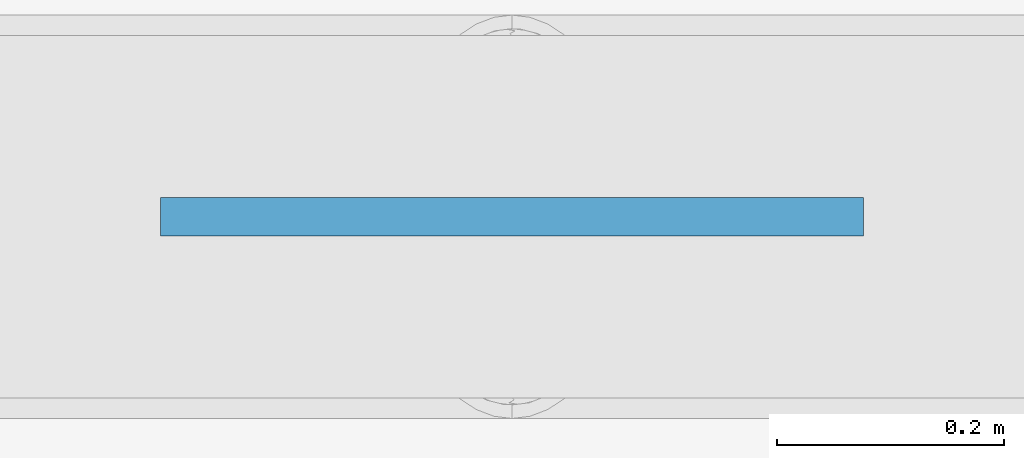
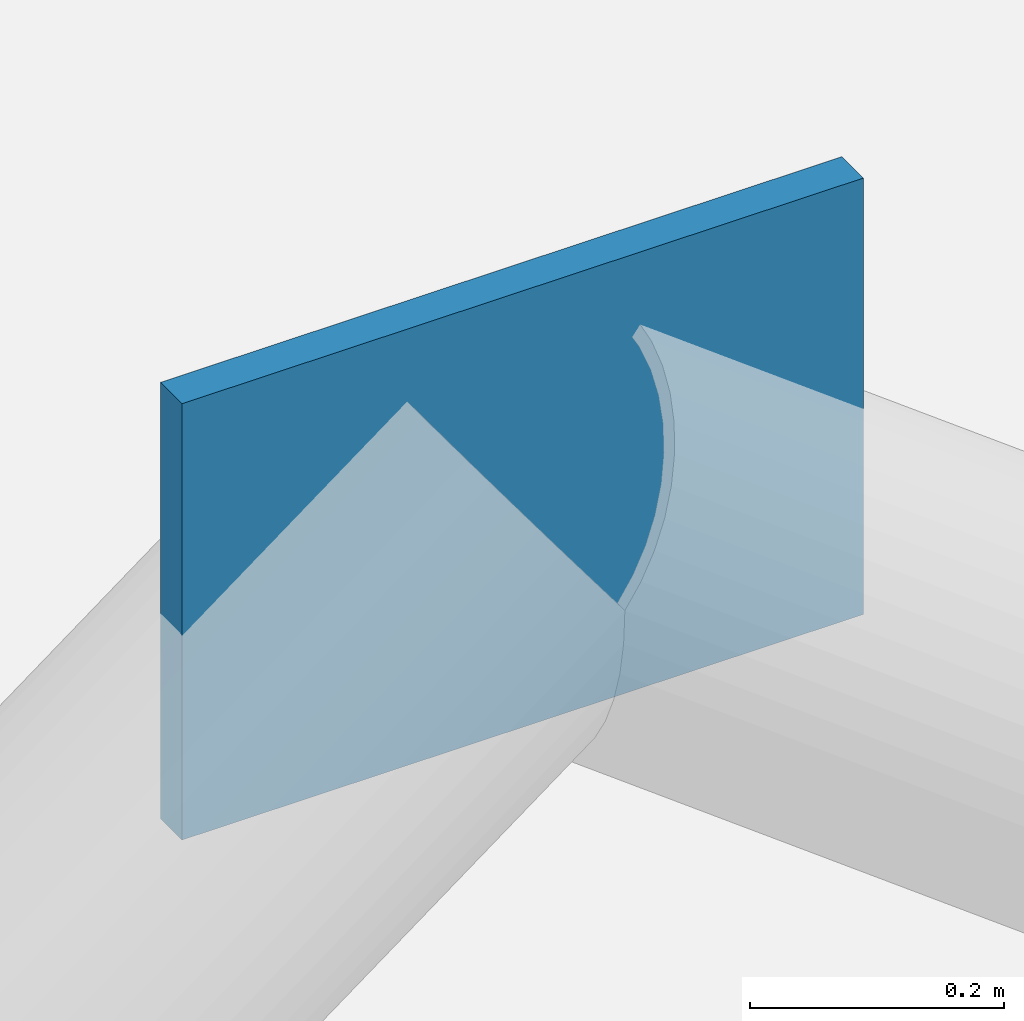
# One storey, part 34 of 83: 1 plate.
"""IFC4 building model written with IfcOpenShell, lengths in metres."""

import ifcopenshell
import ifcopenshell.guid

model = None  # the IFC model being written
_history = None  # IfcOwnerHistory: only IFC2X3 demands one
_inside = {}  # id of a spatial element -> (the spatial element, [elements in it])
_under = {}  # id of a project, library or spatial element -> (it, [spatial elements below it])
_declared = {}  # id of a project -> (the project, [libraries it declares])
_typed = {}  # id of a type object -> (the type object, [elements of that type])
_made_of = {}  # id of a material, layer set ... -> (it, [elements and type objects made of it])


def new_model(schema):
    """Start an empty IFC model of exactly this schema.

    Asked for "IFC4X3", IfcOpenShell would pick the latest addendum, in which some entities
    have other attributes; the version numbers below select the first issue.
    IFC2X3 requires an IfcOwnerHistory on every rooted entity: one is made here for all.
    """
    global model, _history
    if schema == "IFC4X3":
        model = ifcopenshell.file(schema_version=(4, 3, 0, 0))
    else:
        model = ifcopenshell.file(schema=schema)
    _inside.clear()
    _under.clear()
    _declared.clear()
    _typed.clear()
    _made_of.clear()
    _history = None
    if model.schema == "IFC2X3":
        org = make("IfcOrganization", Name="unknown")
        user = make(
            "IfcPersonAndOrganization",
            ThePerson=make("IfcPerson", FamilyName="unknown"),
            TheOrganization=org,
        )
        app = make(
            "IfcApplication",
            ApplicationDeveloper=org,
            Version="unknown",
            ApplicationFullName="unknown",
            ApplicationIdentifier="unknown",
        )
        _history = make(
            "IfcOwnerHistory",
            OwningUser=user,
            OwningApplication=app,
            ChangeAction="ADDED",
            CreationDate=0,
        )
    return model


def make(cls, **values):
    """One entity of the class cls with the attributes given. An attribute that is None is left unset."""
    return model.create_entity(
        cls, **{name: value for name, value in values.items() if value is not None}
    )


def rooted(cls, **values):
    """An entity with a GlobalId (a new one), such as an element, a storey or a relation."""
    return make(cls, GlobalId=ifcopenshell.guid.new(), OwnerHistory=_history, **values)


def si_unit(unit_type, name, prefix=None):
    """IfcSIUnit, for example si_unit("LENGTHUNIT", "METRE", prefix="MILLI")."""
    return make("IfcSIUnit", UnitType=unit_type, Prefix=prefix, Name=name)


def derived_unit(unit_type, elements):
    """IfcDerivedUnit: a product of units, each with its exponent."""
    return make(
        "IfcDerivedUnit",
        Elements=[
            make("IfcDerivedUnitElement", Unit=unit, Exponent=power)
            for unit, power in elements
        ],
        UnitType=unit_type,
    )


def assignment(units):
    """IfcUnitAssignment: the units of a project."""
    return None if units is None else make("IfcUnitAssignment", Units=units)


def point(xyz):
    """IfcCartesianPoint."""
    return None if xyz is None else make("IfcCartesianPoint", Coordinates=xyz)


def direction(xyz):
    """IfcDirection."""
    return None if xyz is None else make("IfcDirection", DirectionRatios=xyz)


def frame(location, z_axis=None, x_axis=None):
    """IfcAxis2Placement3D, a coordinate frame: its origin and axes. An axis left out is left unset."""
    return make(
        "IfcAxis2Placement3D",
        Location=point(location),
        Axis=direction(z_axis),
        RefDirection=direction(x_axis),
    )


def frame_2d(location, x_axis=None):
    """IfcAxis2Placement2D, a coordinate frame in the plane: its origin and x axis."""
    return make(
        "IfcAxis2Placement2D", Location=point(location), RefDirection=direction(x_axis)
    )


def origin():
    """The frame at (0, 0, 0) with its axes left unset."""
    return frame((0.0, 0.0, 0.0))


def origin_2d():
    """The frame at (0, 0) in the plane with its x axis left unset."""
    return frame_2d((0.0, 0.0))


def place(relative_to, where):
    """IfcLocalPlacement: puts the frame where relative to a parent placement (None: the world)."""
    return make(
        "IfcLocalPlacement", PlacementRelTo=relative_to, RelativePlacement=where
    )


def context(
    kind, dimensions, precision=None, world=None, true_north=None, identifier=None
):
    """IfcGeometricRepresentationContext, for example the 3D "Model" context."""
    return make(
        "IfcGeometricRepresentationContext",
        ContextIdentifier=identifier,
        ContextType=kind,
        CoordinateSpaceDimension=dimensions,
        Precision=precision,
        WorldCoordinateSystem=world,
        TrueNorth=true_north,
    )


def subcontext(parent, identifier, kind, view, scale=None):
    """IfcGeometricRepresentationSubContext, for example "Body" below "Model"."""
    return make(
        "IfcGeometricRepresentationSubContext",
        ContextIdentifier=identifier,
        ContextType=kind,
        ParentContext=parent,
        TargetScale=scale,
        TargetView=view,
    )


def project(units=None, contexts=None):
    """IfcProject with its units and contexts."""
    return rooted(
        "IfcProject",
        Name="project",
        RepresentationContexts=contexts,
        UnitsInContext=assignment(units),
    )


def spatial(cls, under=None, at=None, **own):
    """A site, building, storey or space (cls), placed at a placement, below another one or the project."""
    s = rooted(cls, ObjectPlacement=at, **own)
    if under is not None:
        _under.setdefault(under.id(), (under, []))[1].append(s)
    return s


def profile(cls, at=None, kind="AREA", **sizes):
    """A parametric profile (cls). Its sizes go by their IFC names, for example OverallWidth=200.0."""
    return make(cls, ProfileType=kind, Position=at, **sizes)


def rectangle(**sizes):
    """IfcRectangleProfileDef."""
    return profile("IfcRectangleProfileDef", **sizes)


def extrude(swept, where, along, depth):
    """IfcExtrudedAreaSolid: the profile swept, set in the frame where, extruded along a direction by depth."""
    return make(
        "IfcExtrudedAreaSolid",
        SweptArea=swept,
        Position=where,
        ExtrudedDirection=direction(along),
        Depth=depth,
    )


def shape(context_of_items, identifier, shape_type, items):
    """IfcShapeRepresentation: the items that make up one representation, for example the "Body"."""
    return make(
        "IfcShapeRepresentation",
        ContextOfItems=context_of_items,
        RepresentationIdentifier=identifier,
        RepresentationType=shape_type,
        Items=items,
    )


def material(Name=None, Category=None):
    """IfcMaterial."""
    return make("IfcMaterial", Name=Name, Category=Category)


def layer(
    of_material, thickness, ventilated=None, Name=None, Category=None, Priority=None
):
    """IfcMaterialLayer: one layer of a wall or slab, of a material (None: an air gap)."""
    return make(
        "IfcMaterialLayer",
        Material=of_material,
        LayerThickness=thickness,
        IsVentilated=ventilated,
        Name=Name,
        Category=Category,
        Priority=Priority,
    )


def layer_set(layers, Name=None):
    """IfcMaterialLayerSet."""
    return make("IfcMaterialLayerSet", MaterialLayers=layers, LayerSetName=Name)


def made_of(thing, what):
    """Note that an element or type object is made of a material, layer set ...; save() writes the relation."""
    if what is not None:
        _made_of.setdefault(what.id(), (what, []))[1].append(thing)
    return thing


def type_object(cls, material=None, **own):
    """A type object (cls), such as IfcWallType, which elements share."""
    return made_of(rooted(cls, **own), material)


def element(
    cls,
    number,
    at=None,
    inside=None,
    cuts=None,
    type_object=None,
    material=None,
    context=None,
    identifier="Body",
    shape_type=None,
    held_by="IfcProductDefinitionShape",
    body=None,
    shapes=None,
    **own,
):
    """One element of the class cls, such as IfcWall. Its Tag is "e" and its number.

    at: its placement. inside: the storey or other place that contains it. cuts: it is an
    opening in that element (IfcRelVoidsElement). A single representation is given by context,
    identifier, shape_type and body (its items); several are given by shapes. held_by: the class
    of the entity that holds the representations. save() writes the other relations.
    """
    e = rooted(cls, Tag="e%d" % number, ObjectPlacement=at, **own)
    if body is not None:
        shapes = [shape(context, identifier, shape_type, body)]
    if shapes is not None:
        e.Representation = make(held_by, Representations=shapes)
    if inside is not None:
        _inside.setdefault(inside.id(), (inside, []))[1].append(e)
    if cuts is not None:
        rooted(
            "IfcRelVoidsElement", RelatingBuildingElement=cuts, RelatedOpeningElement=e
        )
    if type_object is not None:
        _typed.setdefault(type_object.id(), (type_object, []))[1].append(e)
    return made_of(e, material)


def aggregate(whole, parts):
    """IfcRelAggregates: a whole, such as a stair, and the parts it consists of."""
    return rooted("IfcRelAggregates", RelatingObject=whole, RelatedObjects=parts)


def save(model, path):
    """Write the relations noted so far, then the file.

    IfcRelAggregates (storeys below a building ...), IfcRelContainedInSpatialStructure (elements
    in a storey), IfcRelDefinesByType, IfcRelAssociatesMaterial and IfcRelDeclares: one each for
    every whole, place, type object, material and project.
    """
    for whole, parts in _under.values():
        aggregate(whole, parts)
    for where, things in _inside.values():
        rooted(
            "IfcRelContainedInSpatialStructure",
            RelatedElements=things,
            RelatingStructure=where,
        )
    for kind, things in _typed.values():
        rooted("IfcRelDefinesByType", RelatedObjects=things, RelatingType=kind)
    for what, things in _made_of.values():
        rooted("IfcRelAssociatesMaterial", RelatedObjects=things, RelatingMaterial=what)
    for by, libraries in _declared.values():
        rooted("IfcRelDeclares", RelatingContext=by, RelatedDefinitions=libraries)
    model.write(path)


model = new_model("IFC4")

# Units and contexts
model_context = context("Model", 3, precision=1e-05, world=origin(), true_north=direction((0.0, 1.0)))
body_context = subcontext(model_context, "Body", "Model", "MODEL_VIEW")
ifc_project = project(units=[si_unit("LENGTHUNIT", "METRE"), si_unit("AREAUNIT", "SQUARE_METRE"), si_unit("VOLUMEUNIT", "CUBIC_METRE"), si_unit("PLANEANGLEUNIT", "RADIAN"), si_unit("MASSUNIT", "GRAM", prefix="KILO"), si_unit("THERMODYNAMICTEMPERATUREUNIT", "KELVIN"), derived_unit("THERMALTRANSMITTANCEUNIT", [(si_unit("POWERUNIT", "WATT"), 1), (si_unit("AREAUNIT", "SQUARE_METRE"), -1), (si_unit("THERMODYNAMICTEMPERATUREUNIT", "KELVIN"), -1)])], contexts=[model_context])

# Site, building, storey
site_placement = place(None, origin())
site = spatial("IfcSite", under=ifc_project, at=site_placement, CompositionType="ELEMENT")
building_placement = place(site_placement, origin())
building = spatial("IfcBuilding", under=site, at=building_placement, Name="Haiyu Intermodal Mobility Hub", CompositionType="ELEMENT")
storey_placement = place(building_placement, frame((0.0, 0.0, 13.39990234375)))
storey = spatial("IfcBuildingStorey", under=building, at=storey_placement, Name="L03", CompositionType="ELEMENT", Elevation=13.39990234375)

# Plate
ifc_material = material(Name="Steel Q355C", Category="steel")
ifc_layer = layer(ifc_material, 0.033935546875)
ifc_layer_set = layer_set([ifc_layer], Name="Steel Q355C")
plate_type = type_object("IfcPlateType", Name="PLT-GP04", PredefinedType="USERDEFINED", material=ifc_layer_set)
plate_placement = place(storey_placement, frame((42.0, 104.0, 2.7900390625), z_axis=(0.0, 0.0, 1.0), x_axis=(1.0, 0.0, 0.0)))
element("IfcPlate", 1, at=plate_placement, inside=storey, type_object=plate_type, Name="Chevron Brace Apex Gusset GP-B098", ObjectType="GUSSET PLATE", PredefinedType="USERDEFINED", context=body_context, shape_type="SweptSolid", body=[
    extrude(rectangle(XDim=0.6201171875, YDim=0.033935546875, at=origin_2d()), origin(), (0.0, 0.0, 1.0), 0.419921875),
])

save(model, "model.ifc")
